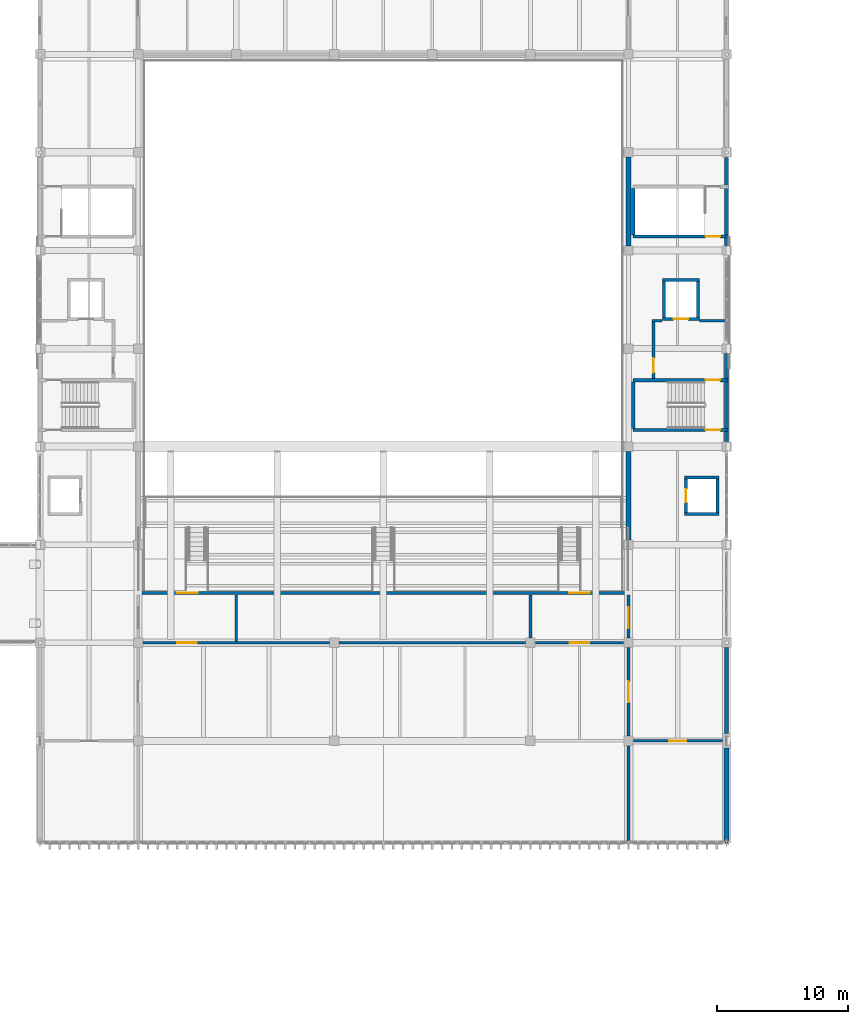
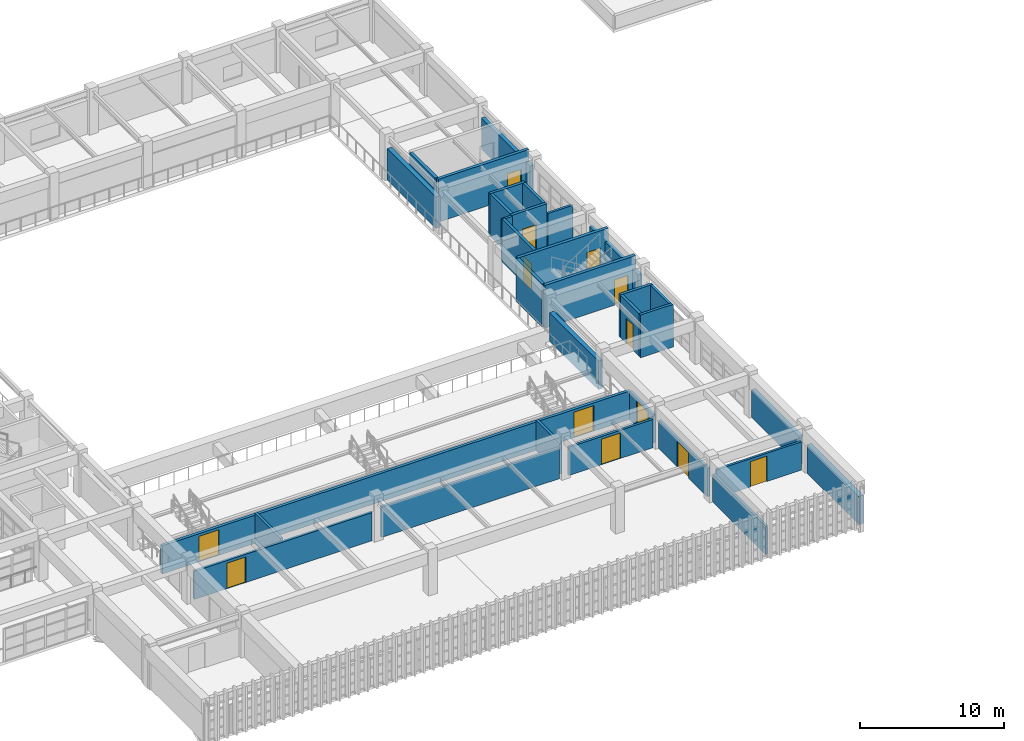
# One storey, part 78 of 101: 32 walls, 13 doors, 13 openings.
"""IFC4 building model written with IfcOpenShell, lengths in metres."""

from ifc_helpers import new_model, si_unit, direction, frame, frame_2d, origin, place, context, subcontext, project, spatial, rectangle, extrude, material, layer, layer_set, type_object, element, fill, save


model = new_model("IFC4")

# Units and contexts
model_context = context("Model", 3, precision=1e-05, world=origin(), true_north=direction((0.0, 1.0)))
body_context = subcontext(model_context, "Body", "Model", "MODEL_VIEW")
ifc_project = project(units=[si_unit("LENGTHUNIT", "METRE"), si_unit("AREAUNIT", "SQUARE_METRE"), si_unit("VOLUMEUNIT", "CUBIC_METRE"), si_unit("PLANEANGLEUNIT", "RADIAN"), si_unit("MASSUNIT", "GRAM", prefix="KILO")], contexts=[model_context])

# Site, building, storey
site_placement = place(None, origin())
site = spatial("IfcSite", under=ifc_project, at=site_placement, CompositionType="ELEMENT")
building_placement = place(site_placement, origin())
building = spatial("IfcBuilding", under=site, at=building_placement, Name="Qasida Concert Hall", CompositionType="ELEMENT")
storey_placement = place(building_placement, frame((0.0, 0.0, 13.199951171875)))
storey = spatial("IfcBuildingStorey", under=building, at=storey_placement, Name="L03", CompositionType="ELEMENT", Elevation=13.199951171875)

# Walls
ifc_material_1 = material(Name="Concrete C40/50", Category="concrete")
ifc_layer_1 = layer(ifc_material_1, 0.219970703125, Name="Concrete C40/50")
ifc_layer_set_1 = layer_set([ifc_layer_1], Name="Concrete C40/50")
wall_type_1 = type_object("IfcWallType", Name="WL-CW-220", PredefinedType="SOLIDWALL", material=ifc_layer_set_1)
for number, where, z_axis, x_axis, name in (
    (1, (101.7900390625, 39.85009765625, 0.0), (0.0, 0.0, 1.0), (1.0, 0.0, 0.0), "L03 LF-02 lift shaft wall S"),
    (2, (101.7900390625, 42.64990234375, 0.0), (0.0, 0.0, 1.0), (1.0, 0.0, 0.0), "L03 LF-02 lift shaft wall N"),
):
    element("IfcWall", number, at=place(storey_placement, frame(where, z_axis=z_axis, x_axis=x_axis)), inside=storey, type_object=wall_type_1, Name=name, PredefinedType="SOLIDWALL", context=body_context, shape_type="SweptSolid", body=[
        extrude(rectangle(XDim=2.619873046875, YDim=0.219970703125, at=frame_2d((1.31005859375, 0.0))), origin(), (0.0, 0.0, 1.0), 3.6201171875),
    ])

# Wall, opening, door
wall_1_placement = place(storey_placement, frame((101.89990234375, 39.9599609375, 0.0), z_axis=(0.0, 0.0, 1.0), x_axis=(0.0, 1.0, 0.0)))
wall_1 = element("IfcWall", 3, at=wall_1_placement, inside=storey, type_object=wall_type_1, Name="L03 LF-02 lift shaft wall W", PredefinedType="SOLIDWALL", context=body_context, shape_type="SweptSolid", body=[
    extrude(rectangle(XDim=2.580078125, YDim=0.219970703125, at=frame_2d((1.2900390625, 0.0))), origin(), (0.0, 0.0, 1.0), 3.6201171875),
])
opening_1_placement = place(wall_1_placement, frame((0.7900390625, 0.0, 0.0)))
opening_1 = element("IfcOpeningElement", 4, at=opening_1_placement, cuts=wall_1, Name="Opening LD-100", PredefinedType="OPENING", context=body_context, shape_type="SweptSolid", body=[
    extrude(rectangle(XDim=1.0, YDim=2.14990234375, at=frame_2d((0.5, 1.074951171875))), frame((0.0, 0.119873046875, 0.0), z_axis=(0.0, -1.0, 0.0), x_axis=(1.0, 0.0, 0.0)), (0.0, 0.0, 1.0), 0.239990234375),
])
ifc_material_2 = material(Name="Brushed bronze passenger lift landing door", Category="steel")
door_type_1 = type_object("IfcDoorType", Name="LD-100", OperationType="SLIDING_TO_LEFT", PredefinedType="DOOR", material=ifc_material_2)
door_1_placement = place(opening_1_placement, origin())
door_1 = element("IfcDoor", 5, at=door_1_placement, inside=storey, type_object=door_type_1, Name="Lift landing door LF-02 L03", OperationType="SLIDING_TO_LEFT", OverallHeight=2.14990234375, OverallWidth=1.0, PredefinedType="DOOR", context=body_context, shape_type="SweptSolid", body=[
    extrude(rectangle(XDim=1.0, YDim=2.14990234375, at=frame_2d((0.5, 1.074951171875))), frame((0.0, 0.02490234375, 0.0), z_axis=(0.0, -1.0, 0.0), x_axis=(1.0, 0.0, 0.0)), (0.0, 0.0, 1.0), 0.050048828125),
])
fill(opening_1, door_1)

# Wall
wall_2_placement = place(storey_placement, frame((104.300048828125, 39.9599609375, 0.0), z_axis=(0.0, 0.0, 1.0), x_axis=(0.0, 1.0, 0.0)))
element("IfcWall", 6, at=wall_2_placement, inside=storey, type_object=wall_type_1, Name="L03 LF-02 lift shaft wall E", PredefinedType="SOLIDWALL", context=body_context, shape_type="SweptSolid", body=[
    extrude(rectangle(XDim=2.580078125, YDim=0.219970703125, at=frame_2d((1.2900390625, 0.0))), origin(), (0.0, 0.0, 1.0), 3.6201171875),
])

# Wall, opening, door
wall_3_placement = place(storey_placement, frame((100.090087890625, 54.75, 0.0), z_axis=(0.0, 0.0, 1.0), x_axis=(1.0, 0.0, 0.0)))
wall_3 = element("IfcWall", 7, at=wall_3_placement, inside=storey, type_object=wall_type_1, Name="L03 LF-04 lift shaft wall S", PredefinedType="SOLIDWALL", context=body_context, shape_type="SweptSolid", body=[
    extrude(rectangle(XDim=2.81982421875, YDim=0.219970703125, at=frame_2d((1.409912109375, 0.0))), origin(), (0.0, 0.0, 1.0), 3.6201171875),
])
opening_2_placement = place(wall_3_placement, frame((0.860107421875, 0.0, 0.0)))
opening_2 = element("IfcOpeningElement", 8, at=opening_2_placement, cuts=wall_3, Name="Opening LD-110", PredefinedType="OPENING", context=body_context, shape_type="SweptSolid", body=[
    extrude(rectangle(XDim=1.10009765625, YDim=2.14990234375, at=frame_2d((0.550048828125, 1.074951171875))), frame((0.0, 0.119873046875, 0.0), z_axis=(0.0, -1.0, 0.0), x_axis=(1.0, 0.0, 0.0)), (0.0, 0.0, 1.0), 0.239990234375),
])
ifc_material_3 = material(Name="Firefighting lift sliding landing door", Category="steel")
door_type_2 = type_object("IfcDoorType", Name="LD-110", OperationType="SLIDING_TO_LEFT", PredefinedType="DOOR", material=ifc_material_3)
door_2_placement = place(opening_2_placement, origin())
door_2 = element("IfcDoor", 9, at=door_2_placement, inside=storey, type_object=door_type_2, Name="Lift landing door LF-04 L03", OperationType="SLIDING_TO_LEFT", OverallHeight=2.14990234375, OverallWidth=1.10009765625, PredefinedType="DOOR", context=body_context, shape_type="SweptSolid", body=[
    extrude(rectangle(XDim=1.10009765625, YDim=2.14990234375, at=frame_2d((0.550048828125, 1.074951171875))), frame((0.0, 0.02490234375, 0.0), z_axis=(0.0, -1.0, 0.0), x_axis=(1.0, 0.0, 0.0)), (0.0, 0.0, 1.0), 0.050048828125),
])
fill(opening_2, door_2)

# Walls
wall_4_placement = place(storey_placement, frame((100.090087890625, 57.75, 0.0), z_axis=(0.0, 0.0, 1.0), x_axis=(1.0, 0.0, 0.0)))
element("IfcWall", 10, at=wall_4_placement, inside=storey, type_object=wall_type_1, Name="L03 LF-04 lift shaft wall N", PredefinedType="SOLIDWALL", context=body_context, shape_type="SweptSolid", body=[
    extrude(rectangle(XDim=2.81982421875, YDim=0.219970703125, at=frame_2d((1.409912109375, 0.0))), origin(), (0.0, 0.0, 1.0), 3.6201171875),
])
for number, where, z_axis, x_axis, name in (
    (11, (100.199951171875, 54.860107421875, 0.0), (0.0, 0.0, 1.0), (0.0, 1.0, 0.0), "L03 LF-04 lift shaft wall W"),
    (12, (102.800048828125, 54.860107421875, 0.0), (0.0, 0.0, 1.0), (0.0, 1.0, 0.0), "L03 LF-04 lift shaft wall E"),
):
    element("IfcWall", number, at=place(storey_placement, frame(where, z_axis=z_axis, x_axis=x_axis)), inside=storey, type_object=wall_type_1, Name=name, PredefinedType="SOLIDWALL", context=body_context, shape_type="SweptSolid", body=[
        extrude(rectangle(XDim=2.77978515625, YDim=0.219970703125, at=frame_2d((1.389892578125, 0.0))), origin(), (0.0, 0.0, 1.0), 3.6201171875),
    ])

# Wall, opening, door
wall_5_placement = place(storey_placement, frame((99.39990234375, 50.219970703125, 0.0), z_axis=(0.0, 0.0, 1.0), x_axis=(0.0, 1.0, 0.0)))
wall_5 = element("IfcWall", 13, at=wall_5_placement, inside=storey, type_object=wall_type_1, Name="L03 LF-04 firefighting lobby wall", PredefinedType="SOLIDWALL", context=body_context, shape_type="SweptSolid", body=[
    extrude(rectangle(XDim=4.409912109375, YDim=0.219970703125, at=frame_2d((2.205078125, 0.0))), origin(), (0.0, 0.0, 1.0), 3.6201171875),
])
opening_3_placement = place(wall_5_placement, frame((0.449951171875, 0.0, 0.0)))
opening_3 = element("IfcOpeningElement", 14, at=opening_3_placement, cuts=wall_5, Name="Opening FD-110", PredefinedType="OPENING", context=body_context, shape_type="SweptSolid", body=[
    extrude(rectangle(XDim=1.10009765625, YDim=2.14990234375, at=frame_2d((0.550048828125, 1.074951171875))), frame((0.0, 0.119873046875, 0.0), z_axis=(0.0, -1.0, 0.0), x_axis=(1.0, 0.0, 0.0)), (0.0, 0.0, 1.0), 0.239990234375),
])
ifc_material_4 = material(Name="Steel fire-rated stair/lobby door set", Category="steel")
door_type_3 = type_object("IfcDoorType", Name="FD-110", OperationType="NOTDEFINED", PredefinedType="DOOR", material=ifc_material_4)
door_3_placement = place(opening_3_placement, origin())
door_3 = element("IfcDoor", 15, at=door_3_placement, inside=storey, type_object=door_type_3, Name="L03 LF-04 firefighting lobby fire door", OperationType="SINGLE_SWING_RIGHT", OverallHeight=2.14990234375, OverallWidth=1.10009765625, PredefinedType="DOOR", context=body_context, shape_type="SweptSolid", body=[
    extrude(rectangle(XDim=1.10009765625, YDim=2.14990234375, at=frame_2d((0.550048828125, 1.074951171875))), frame((0.0, 0.02490234375, 0.0), z_axis=(0.0, -1.0, 0.0), x_axis=(1.0, 0.0, 0.0)), (0.0, 0.0, 1.0), 0.050048828125),
])
fill(opening_3, door_3)

ifc_layer_2 = layer(ifc_material_1, 0.25, Name="Concrete C40/50")
ifc_layer_set_2 = layer_set([ifc_layer_2], Name="Concrete C40/50")
wall_type_2 = type_object("IfcWallType", Name="WL-CW-250", PredefinedType="SOLIDWALL", material=ifc_layer_set_2)
wall_6_placement = place(storey_placement, frame((97.860107421875, 46.27490234375, 0.0), z_axis=(0.0, 0.0, 1.0), x_axis=(1.0, 0.0, 0.0)))
wall_6 = element("IfcWall", 16, at=wall_6_placement, inside=storey, type_object=wall_type_2, Name="L03 ST-02 stairwell wall S", PredefinedType="SOLIDWALL", context=body_context, shape_type="SweptSolid", body=[
    extrude(rectangle(XDim=7.260009765625, YDim=0.25, at=frame_2d((3.6298828125, 0.0))), origin(), (0.0, 0.0, 1.0), 3.6201171875),
])
opening_4_placement = place(wall_6_placement, frame((5.5400390625, 0.0, 0.0)))
opening_4 = element("IfcOpeningElement", 17, at=opening_4_placement, cuts=wall_6, Name="Opening FD-110", PredefinedType="OPENING", context=body_context, shape_type="SweptSolid", body=[
    extrude(rectangle(XDim=1.10009765625, YDim=2.14990234375, at=frame_2d((0.550048828125, 1.074951171875))), frame((0.0, 0.135009765625, 0.0), z_axis=(0.0, -1.0, 0.0), x_axis=(1.0, 0.0, 0.0)), (0.0, 0.0, 1.0), 0.27001953125),
])
door_4_placement = place(opening_4_placement, origin())
door_4 = element("IfcDoor", 18, at=door_4_placement, inside=storey, type_object=door_type_3, Name="L03 ST-02 rated stair door", OperationType="SINGLE_SWING_LEFT", OverallHeight=2.14990234375, OverallWidth=1.10009765625, PredefinedType="DOOR", context=body_context, shape_type="SweptSolid", body=[
    extrude(rectangle(XDim=1.10009765625, YDim=2.14990234375, at=frame_2d((0.550048828125, 1.074951171875))), frame((0.0, 0.02490234375, 0.0), z_axis=(0.0, -1.0, 0.0), x_axis=(1.0, 0.0, 0.0)), (0.0, 0.0, 1.0), 0.050048828125),
])
fill(opening_4, door_4)

wall_7_placement = place(storey_placement, frame((97.860107421875, 50.0849609375, 0.0), z_axis=(0.0, 0.0, 1.0), x_axis=(1.0, 0.0, 0.0)))
wall_7 = element("IfcWall", 19, at=wall_7_placement, inside=storey, type_object=wall_type_2, Name="L03 ST-02 stairwell wall N", PredefinedType="SOLIDWALL", context=body_context, shape_type="SweptSolid", body=[
    extrude(rectangle(XDim=7.260009765625, YDim=0.25, at=frame_2d((3.6298828125, 0.0))), origin(), (0.0, 0.0, 1.0), 3.6201171875),
])
opening_5_placement = place(wall_7_placement, frame((5.5400390625, 0.0, 0.0)))
opening_5 = element("IfcOpeningElement", 20, at=opening_5_placement, cuts=wall_7, Name="Opening FD-110", PredefinedType="OPENING", context=body_context, shape_type="SweptSolid", body=[
    extrude(rectangle(XDim=1.10009765625, YDim=2.14990234375, at=frame_2d((0.550048828125, 1.074951171875))), frame((0.0, 0.135009765625, 0.0), z_axis=(0.0, -1.0, 0.0), x_axis=(1.0, 0.0, 0.0)), (0.0, 0.0, 1.0), 0.27001953125),
])
door_5_placement = place(opening_5_placement, frame((1.10009765625, 0.0, 0.0), z_axis=(0.0, 0.0, 1.0), x_axis=(-1.0, 0.0, 0.0)))
door_5 = element("IfcDoor", 21, at=door_5_placement, inside=storey, type_object=door_type_3, Name="L03 ST-02 rated stair door", OperationType="SINGLE_SWING_RIGHT", OverallHeight=2.14990234375, OverallWidth=1.10009765625, PredefinedType="DOOR", context=body_context, shape_type="SweptSolid", body=[
    extrude(rectangle(XDim=1.10009765625, YDim=2.14990234375, at=frame_2d((0.550048828125, 1.074951171875))), frame((0.0, 0.02490234375, 0.0), z_axis=(0.0, -1.0, 0.0), x_axis=(1.0, 0.0, 0.0)), (0.0, 0.0, 1.0), 0.050048828125),
])
fill(opening_5, door_5)

# Wall
wall_8_placement = place(storey_placement, frame((97.85498046875, 46.39990234375, 0.0), z_axis=(0.0, 0.0, 1.0), x_axis=(0.0, 1.0, 0.0)))
element("IfcWall", 22, at=wall_8_placement, inside=storey, type_object=wall_type_2, Name="L03 ST-02 stairwell wall W", PredefinedType="SOLIDWALL", context=body_context, shape_type="SweptSolid", body=[
    extrude(rectangle(XDim=3.56005859375, YDim=0.25, at=frame_2d((1.780029296875, 0.0))), origin(), (0.0, 0.0, 1.0), 3.6201171875),
])

# Wall, opening, door
wall_9_placement = place(storey_placement, frame((97.860107421875, 61.074951171875, 0.0), z_axis=(0.0, 0.0, 1.0), x_axis=(1.0, 0.0, 0.0)))
wall_9 = element("IfcWall", 23, at=wall_9_placement, inside=storey, type_object=wall_type_2, Name="L03 ST-12 stairwell wall S", PredefinedType="SOLIDWALL", context=body_context, shape_type="SweptSolid", body=[
    extrude(rectangle(XDim=7.260009765625, YDim=0.25, at=frame_2d((3.6298828125, 0.0))), origin(), (0.0, 0.0, 1.0), 3.6201171875),
])
opening_6_placement = place(wall_9_placement, frame((5.5400390625, 0.0, 0.0)))
opening_6 = element("IfcOpeningElement", 24, at=opening_6_placement, cuts=wall_9, Name="Opening FD-110", PredefinedType="OPENING", context=body_context, shape_type="SweptSolid", body=[
    extrude(rectangle(XDim=1.10009765625, YDim=2.14990234375, at=frame_2d((0.550048828125, 1.074951171875))), frame((0.0, 0.135009765625, 0.0), z_axis=(0.0, -1.0, 0.0), x_axis=(1.0, 0.0, 0.0)), (0.0, 0.0, 1.0), 0.27001953125),
])
door_6_placement = place(opening_6_placement, origin())
door_6 = element("IfcDoor", 25, at=door_6_placement, inside=storey, type_object=door_type_3, Name="L03 ST-12 rated stair door", OperationType="SINGLE_SWING_LEFT", OverallHeight=2.14990234375, OverallWidth=1.10009765625, PredefinedType="DOOR", context=body_context, shape_type="SweptSolid", body=[
    extrude(rectangle(XDim=1.10009765625, YDim=2.14990234375, at=frame_2d((0.550048828125, 1.074951171875))), frame((0.0, 0.02490234375, 0.0), z_axis=(0.0, -1.0, 0.0), x_axis=(1.0, 0.0, 0.0)), (0.0, 0.0, 1.0), 0.050048828125),
])
fill(opening_6, door_6)

# Walls
wall_10_placement = place(storey_placement, frame((97.85498046875, 61.199951171875, 0.0), z_axis=(0.0, 0.0, 1.0), x_axis=(0.0, 1.0, 0.0)))
element("IfcWall", 26, at=wall_10_placement, inside=storey, type_object=wall_type_2, Name="L03 ST-12 stairwell wall W", PredefinedType="SOLIDWALL", context=body_context, shape_type="SweptSolid", body=[
    extrude(rectangle(XDim=3.56005859375, YDim=0.25, at=frame_2d((1.780029296875, 0.0))), origin(), (0.0, 0.0, 1.0), 3.6201171875),
])
ifc_material_5 = material(Name="Precast concrete C40/50", Category="concrete")
ifc_layer_3 = layer(ifc_material_5, 0.300048828125, Name="Precast concrete C40/50")
ifc_layer_set_3 = layer_set([ifc_layer_3], Name="Precast concrete C40/50")
wall_type_3 = type_object("IfcWallType", Name="WL-EW-300", PredefinedType="SOLIDWALL", material=ifc_layer_set_3)
wall_11_placement = place(storey_placement, frame((105.0, 23.06494140625, 0.0), z_axis=(0.0, 0.0, 1.0), x_axis=(0.0, 1.0, 0.0)))
element("IfcWall", 27, at=wall_11_placement, inside=storey, type_object=wall_type_3, Name="L03 exterior wall EW-300 0063", PredefinedType="SOLIDWALL", context=body_context, shape_type="SweptSolid", body=[
    extrude(rectangle(XDim=6.56005859375, YDim=0.300048828125, at=frame_2d((3.280029296875, 0.0))), origin(), (0.0, 0.0, 1.0), 2.39013671875),
])
wall_12_placement = place(storey_placement, frame((105.0, 45.375, 0.0), z_axis=(0.0, 0.0, 1.0), x_axis=(0.0, 1.0, 0.0)))
element("IfcWall", 28, at=wall_12_placement, inside=storey, type_object=wall_type_3, Name="L03 exterior wall EW-300 0065", PredefinedType="SOLIDWALL", context=body_context, shape_type="SweptSolid", body=[
    extrude(rectangle(XDim=6.75, YDim=0.300048828125, at=frame_2d((3.375, 0.0))), origin(), (0.0, 0.0, 1.0), 2.5400390625),
])
wall_13_placement = place(storey_placement, frame((105.0, 60.375, 0.0), z_axis=(0.0, 0.0, 1.0), x_axis=(0.0, 1.0, 0.0)))
element("IfcWall", 29, at=wall_13_placement, inside=storey, type_object=wall_type_3, Name="L03 exterior wall EW-300 0067", PredefinedType="SOLIDWALL", context=body_context, shape_type="SweptSolid", body=[
    extrude(rectangle(XDim=6.75, YDim=0.300048828125, at=frame_2d((3.375, 0.0))), origin(), (0.0, 0.0, 1.0), 2.64013671875),
])
ifc_layer_4 = layer(ifc_material_5, 0.360107421875, Name="Precast concrete C40/50")
ifc_layer_set_4 = layer_set([ifc_layer_4], Name="Precast concrete C40/50")
wall_type_4 = type_object("IfcWallType", Name="WL-EW-360", PredefinedType="SOLIDWALL", material=ifc_layer_set_4)
wall_14_placement = place(storey_placement, frame((105.0, 14.699951171875, 0.0), z_axis=(0.0, 0.0, 1.0), x_axis=(0.0, 1.0, 0.0)))
element("IfcWall", 30, at=wall_14_placement, inside=storey, type_object=wall_type_4, Name="L03 exterior wall EW-360 0011", PredefinedType="SOLIDWALL", context=body_context, shape_type="SweptSolid", body=[
    extrude(rectangle(XDim=7.235107421875, YDim=0.360107421875, at=frame_2d((3.61767578125, 0.0))), origin(), (0.0, 0.0, 1.0), 2.39013671875),
])

# Wall, opening, door
ifc_material_6 = material(Name="Acoustic metal-stud gypsum partition", Category="gypsum")
ifc_layer_5 = layer(ifc_material_6, 0.179931640625, Name="Acoustic metal-stud gypsum partition")
ifc_layer_set_5 = layer_set([ifc_layer_5], Name="Acoustic metal-stud gypsum partition")
wall_type_5 = type_object("IfcWallType", Name="WL-PW-180", PredefinedType="PARTITIONING", material=ifc_layer_set_5)
wall_15_placement = place(storey_placement, frame((97.8740234375, 22.5, 0.0), z_axis=(0.0, 0.0, 1.0), x_axis=(1.0, 0.0, 0.0)))
wall_15 = element("IfcWall", 31, at=wall_15_placement, inside=storey, type_object=wall_type_5, Name="L03 partition PW-180 0481", PredefinedType="PARTITIONING", context=body_context, shape_type="SweptSolid", body=[
    extrude(rectangle(XDim=6.81201171875, YDim=0.179931640625, at=frame_2d((3.406005859375, 0.0))), origin(), (0.0, 0.0, 1.0), 2.39013671875),
])
opening_7_placement = place(wall_15_placement, frame((2.72607421875, 0.0, 0.0)))
opening_7 = element("IfcOpeningElement", 32, at=opening_7_placement, cuts=wall_15, Name="Opening ID-130", PredefinedType="OPENING", context=body_context, shape_type="SweptSolid", body=[
    extrude(rectangle(XDim=1.300048828125, YDim=2.14990234375, at=frame_2d((0.64990234375, 1.074951171875))), frame((0.0, 0.099853515625, 0.0), z_axis=(0.0, -1.0, 0.0), x_axis=(1.0, 0.0, 0.0)), (0.0, 0.0, 1.0), 0.199951171875),
])
ifc_material_7 = material(Name="Bronze-framed glazed salon door", Category="aluminium")
door_type_4 = type_object("IfcDoorType", Name="ID-130", OperationType="NOTDEFINED", PredefinedType="DOOR", material=ifc_material_7)
door_7_placement = place(opening_7_placement, origin())
door_7 = element("IfcDoor", 33, at=door_7_placement, inside=storey, type_object=door_type_4, Name="L03 L03 east south salon door", OperationType="SINGLE_SWING_LEFT", OverallHeight=2.14990234375, OverallWidth=1.300048828125, PredefinedType="DOOR", context=body_context, shape_type="SweptSolid", body=[
    extrude(rectangle(XDim=1.300048828125, YDim=2.14990234375, at=frame_2d((0.64990234375, 1.074951171875))), frame((0.0, 0.02490234375, 0.0), z_axis=(0.0, -1.0, 0.0), x_axis=(1.0, 0.0, 0.0)), (0.0, 0.0, 1.0), 0.050048828125),
])
fill(opening_7, door_7)

# Walls
ifc_material_8 = material(Name="Acoustic gypsum block and mineral wool", Category="gypsum")
ifc_layer_6 = layer(ifc_material_8, 0.199951171875, Name="Acoustic gypsum block and mineral wool")
ifc_layer_set_6 = layer_set([ifc_layer_6], Name="Acoustic gypsum block and mineral wool")
wall_type_6 = type_object("IfcWallType", Name="WL-PW-200", PredefinedType="PARTITIONING", material=ifc_layer_set_6)
wall_16_placement = place(storey_placement, frame((99.2900390625, 54.6298828125, 0.0), z_axis=(0.0, 0.0, 1.0), x_axis=(1.0, 0.0, 0.0)))
element("IfcWall", 34, at=wall_16_placement, inside=storey, type_object=wall_type_6, Name="L03 LF-04 firefighting lobby return wall", PredefinedType="PARTITIONING", context=body_context, shape_type="SweptSolid", body=[
    extrude(rectangle(XDim=0.784912109375, YDim=0.199951171875, at=frame_2d((0.392578125, 0.0))), origin(), (0.0, 0.0, 1.0), 3.60009765625),
])
wall_17_placement = place(storey_placement, frame((102.925048828125, 54.6298828125, 0.0), z_axis=(0.0, 0.0, 1.0), x_axis=(1.0, 0.0, 0.0)))
element("IfcWall", 35, at=wall_17_placement, inside=storey, type_object=wall_type_6, Name="L03 LF-04 firefighting lobby return wall", PredefinedType="PARTITIONING", context=body_context, shape_type="SweptSolid", body=[
    extrude(rectangle(XDim=2.014892578125, YDim=0.199951171875, at=frame_2d((1.00732421875, 0.0))), origin(), (0.0, 0.0, 1.0), 2.85009765625),
])

# Wall, opening, door
wall_18_placement = place(storey_placement, frame((60.3740234375, 30.0, 0.0), z_axis=(0.0, 0.0, 1.0), x_axis=(1.0, 0.0, 0.0)))
wall_18 = element("IfcWall", 36, at=wall_18_placement, inside=storey, type_object=wall_type_6, Name="L03 partition PW-200 0482", PredefinedType="PARTITIONING", context=body_context, shape_type="SweptSolid", body=[
    extrude(rectangle(XDim=14.251953125, YDim=0.199951171875, at=frame_2d((7.1259765625, 0.0))), origin(), (0.0, 0.0, 1.0), 2.39013671875),
])
opening_8_placement = place(wall_18_placement, frame((2.6259765625, 0.0, 0.0)))
opening_8 = element("IfcOpeningElement", 37, at=opening_8_placement, cuts=wall_18, Name="Opening ID-150", PredefinedType="OPENING", context=body_context, shape_type="SweptSolid", body=[
    extrude(rectangle(XDim=1.5, YDim=2.159912109375, at=frame_2d((0.75, 1.080078125))), frame((0.0, 0.10986328125, 0.0), z_axis=(0.0, -1.0, 0.0), x_axis=(1.0, 0.0, 0.0)), (0.0, 0.0, 1.0), 0.219970703125),
])
ifc_material_9 = material(Name="Bronze-framed glazed foyer door", Category="aluminium")
door_type_5 = type_object("IfcDoorType", Name="ID-150", OperationType="NOTDEFINED", PredefinedType="DOOR", material=ifc_material_9)
door_8_placement = place(opening_8_placement, origin())
door_8 = element("IfcDoor", 38, at=door_8_placement, inside=storey, type_object=door_type_5, Name="L03 L03 west vomitory foyer door", OperationType="SINGLE_SWING_RIGHT", OverallHeight=2.159912109375, OverallWidth=1.5, PredefinedType="DOOR", context=body_context, shape_type="SweptSolid", body=[
    extrude(rectangle(XDim=1.5, YDim=2.159912109375, at=frame_2d((0.75, 1.080078125))), frame((0.0, 0.02490234375, 0.0), z_axis=(0.0, -1.0, 0.0), x_axis=(1.0, 0.0, 0.0)), (0.0, 0.0, 1.0), 0.050048828125),
])
fill(opening_8, door_8)

# Wall
wall_19_placement = place(storey_placement, frame((75.3740234375, 30.0, 0.0), z_axis=(0.0, 0.0, 1.0), x_axis=(1.0, 0.0, 0.0)))
element("IfcWall", 39, at=wall_19_placement, inside=storey, type_object=wall_type_6, Name="L03 partition PW-200 0483", PredefinedType="PARTITIONING", context=body_context, shape_type="SweptSolid", body=[
    extrude(rectangle(XDim=14.251953125, YDim=0.199951171875, at=frame_2d((7.1259765625, 0.0))), origin(), (0.0, 0.0, 1.0), 2.590087890625),
])

# Wall, opening, door
wall_20_placement = place(storey_placement, frame((90.3740234375, 30.0, 0.0), z_axis=(0.0, 0.0, 1.0), x_axis=(1.0, 0.0, 0.0)))
wall_20 = element("IfcWall", 40, at=wall_20_placement, inside=storey, type_object=wall_type_6, Name="L03 partition PW-200 0484", PredefinedType="PARTITIONING", context=body_context, shape_type="SweptSolid", body=[
    extrude(rectangle(XDim=6.751953125, YDim=0.199951171875, at=frame_2d((3.3759765625, 0.0))), origin(), (0.0, 0.0, 1.0), 2.39013671875),
])
opening_9_placement = place(wall_20_placement, frame((2.6259765625, 0.0, 0.0)))
opening_9 = element("IfcOpeningElement", 41, at=opening_9_placement, cuts=wall_20, Name="Opening ID-150", PredefinedType="OPENING", context=body_context, shape_type="SweptSolid", body=[
    extrude(rectangle(XDim=1.5, YDim=2.159912109375, at=frame_2d((0.75, 1.080078125))), frame((0.0, 0.10986328125, 0.0), z_axis=(0.0, -1.0, 0.0), x_axis=(1.0, 0.0, 0.0)), (0.0, 0.0, 1.0), 0.219970703125),
])
door_9_placement = place(opening_9_placement, origin())
door_9 = element("IfcDoor", 42, at=door_9_placement, inside=storey, type_object=door_type_5, Name="L03 L03 east vomitory foyer door", OperationType="SINGLE_SWING_LEFT", OverallHeight=2.159912109375, OverallWidth=1.5, PredefinedType="DOOR", context=body_context, shape_type="SweptSolid", body=[
    extrude(rectangle(XDim=1.5, YDim=2.159912109375, at=frame_2d((0.75, 1.080078125))), frame((0.0, 0.02490234375, 0.0), z_axis=(0.0, -1.0, 0.0), x_axis=(1.0, 0.0, 0.0)), (0.0, 0.0, 1.0), 0.050048828125),
])
fill(opening_9, door_9)

# Walls
wall_21_placement = place(storey_placement, frame((67.5, 30.114013671875, 0.0), z_axis=(0.0, 0.0, 1.0), x_axis=(0.0, 1.0, 0.0)))
element("IfcWall", 43, at=wall_21_placement, inside=storey, type_object=wall_type_6, Name="L03 partition PW-200 0486", PredefinedType="PARTITIONING", context=body_context, shape_type="SweptSolid", body=[
    extrude(rectangle(XDim=3.552001953125, YDim=0.199951171875, at=frame_2d((1.77587890625, 0.0))), origin(), (0.0, 0.0, 1.0), 2.590087890625),
])
wall_22_placement = place(storey_placement, frame((90.0, 30.3740234375, 0.0), z_axis=(0.0, 0.0, 1.0), x_axis=(0.0, 1.0, 0.0)))
element("IfcWall", 44, at=wall_22_placement, inside=storey, type_object=wall_type_6, Name="L03 partition PW-200 0487", PredefinedType="PARTITIONING", context=body_context, shape_type="SweptSolid", body=[
    extrude(rectangle(XDim=3.2919921875, YDim=0.199951171875, at=frame_2d((1.64599609375, 0.0))), origin(), (0.0, 0.0, 1.0), 2.590087890625),
])
wall_23_placement = place(storey_placement, frame((97.5, 14.820068359375, 0.0), z_axis=(0.0, 0.0, 1.0), x_axis=(0.0, 1.0, 0.0)))
element("IfcWall", 45, at=wall_23_placement, inside=storey, type_object=wall_type_6, Name="L03 partition PW-200 0491", PredefinedType="PARTITIONING", context=body_context, shape_type="SweptSolid", body=[
    extrude(rectangle(XDim=7.305908203125, YDim=0.199951171875, at=frame_2d((3.65283203125, 0.0))), origin(), (0.0, 0.0, 1.0), 2.39013671875),
])

# Wall, opening, door
wall_24_placement = place(storey_placement, frame((97.5, 22.8740234375, 0.0), z_axis=(0.0, 0.0, 1.0), x_axis=(0.0, 1.0, 0.0)))
wall_24 = element("IfcWall", 46, at=wall_24_placement, inside=storey, type_object=wall_type_6, Name="L03 partition PW-200 0492", PredefinedType="PARTITIONING", context=body_context, shape_type="SweptSolid", body=[
    extrude(rectangle(XDim=6.751953125, YDim=0.199951171875, at=frame_2d((3.3759765625, 0.0))), origin(), (0.0, 0.0, 1.0), 2.39013671875),
])
opening_10_placement = place(wall_24_placement, frame((2.575927734375, 0.0, 0.0)))
opening_10 = element("IfcOpeningElement", 47, at=opening_10_placement, cuts=wall_24, Name="Opening FD-160", PredefinedType="OPENING", context=body_context, shape_type="SweptSolid", body=[
    extrude(rectangle(XDim=1.60009765625, YDim=2.14990234375, at=frame_2d((0.800048828125, 1.074951171875))), frame((0.0, 0.10986328125, 0.0), z_axis=(0.0, -1.0, 0.0), x_axis=(1.0, 0.0, 0.0)), (0.0, 0.0, 1.0), 0.219970703125),
])
ifc_material_10 = material(Name="Double-leaf acoustic fire door", Category="steel")
door_type_6 = type_object("IfcDoorType", Name="FD-160", OperationType="NOTDEFINED", PredefinedType="DOOR", material=ifc_material_10)
door_10_placement = place(opening_10_placement, origin())
door_10 = element("IfcDoor", 48, at=door_10_placement, inside=storey, type_object=door_type_6, Name="L03 L03 balcony foyer east door", OperationType="SINGLE_SWING_RIGHT", OverallHeight=2.14990234375, OverallWidth=1.60009765625, PredefinedType="DOOR", context=body_context, shape_type="SweptSolid", body=[
    extrude(rectangle(XDim=1.60009765625, YDim=2.14990234375, at=frame_2d((0.800048828125, 1.074951171875))), frame((0.0, 0.02490234375, 0.0), z_axis=(0.0, -1.0, 0.0), x_axis=(1.0, 0.0, 0.0)), (0.0, 0.0, 1.0), 0.050048828125),
])
fill(opening_10, door_10)

wall_25_placement = place(storey_placement, frame((97.5, 30.3740234375, 0.0), z_axis=(0.0, 0.0, 1.0), x_axis=(0.0, 1.0, 0.0)))
wall_25 = element("IfcWall", 49, at=wall_25_placement, inside=storey, type_object=wall_type_6, Name="L03 partition PW-200 0493", PredefinedType="PARTITIONING", context=body_context, shape_type="SweptSolid", body=[
    extrude(rectangle(XDim=3.2919921875, YDim=0.199951171875, at=frame_2d((1.64599609375, 0.0))), origin(), (0.0, 0.0, 1.0), 2.39013671875),
])
opening_11_placement = place(wall_25_placement, frame((0.72607421875, 0.0, 0.0)))
opening_11 = element("IfcOpeningElement", 50, at=opening_11_placement, cuts=wall_25, Name="Opening AD-160", PredefinedType="OPENING", context=body_context, shape_type="SweptSolid", body=[
    extrude(rectangle(XDim=1.60009765625, YDim=2.159912109375, at=frame_2d((0.800048828125, 1.080078125))), frame((0.0, 0.10986328125, 0.0), z_axis=(0.0, -1.0, 0.0), x_axis=(1.0, 0.0, 0.0)), (0.0, 0.0, 1.0), 0.219970703125),
])
ifc_material_11 = material(Name="Double-seal Rw 50 dB rehearsal hall door", Category="wood")
door_type_7 = type_object("IfcDoorType", Name="AD-160", OperationType="NOTDEFINED", PredefinedType="DOOR", material=ifc_material_11)
door_11_placement = place(opening_11_placement, origin())
door_11 = element("IfcDoor", 51, at=door_11_placement, inside=storey, type_object=door_type_7, Name="L03 L03 east balcony vomitory door", OperationType="SINGLE_SWING_LEFT", OverallHeight=2.159912109375, OverallWidth=1.60009765625, PredefinedType="DOOR", context=body_context, shape_type="SweptSolid", body=[
    extrude(rectangle(XDim=1.60009765625, YDim=2.159912109375, at=frame_2d((0.800048828125, 1.080078125))), frame((0.0, 0.02490234375, 0.0), z_axis=(0.0, -1.0, 0.0), x_axis=(1.0, 0.0, 0.0)), (0.0, 0.0, 1.0), 0.050048828125),
])
fill(opening_11, door_11)

# Wall, openings, doors
ifc_material_12 = material(Name="Double-stud acoustic gypsum and mineral wool", Category="gypsum")
ifc_layer_7 = layer(ifc_material_12, 0.239990234375, Name="Double-stud acoustic gypsum and mineral wool")
ifc_layer_set_7 = layer_set([ifc_layer_7], Name="Double-stud acoustic gypsum and mineral wool")
wall_type_7 = type_object("IfcWallType", Name="WL-PW-240", PredefinedType="PARTITIONING", material=ifc_layer_set_7)
wall_26_placement = place(storey_placement, frame((60.0, 33.800048828125, 0.0), z_axis=(0.0, 0.0, 1.0), x_axis=(1.0, 0.0, 0.0)))
wall_26 = element("IfcWall", 52, at=wall_26_placement, inside=storey, type_object=wall_type_7, Name="L03 partition PW-240 0485", PredefinedType="PARTITIONING", context=body_context, shape_type="SweptSolid", body=[
    extrude(rectangle(XDim=37.5, YDim=0.239990234375, at=frame_2d((18.75, 0.0))), origin(), (0.0, 0.0, 1.0), 2.39013671875),
])
opening_12_placement = place(wall_26_placement, frame((2.949951171875, 0.0, 0.0)))
opening_12 = element("IfcOpeningElement", 53, at=opening_12_placement, cuts=wall_26, Name="Opening AD-160", PredefinedType="OPENING", context=body_context, shape_type="SweptSolid", body=[
    extrude(rectangle(XDim=1.60009765625, YDim=2.159912109375, at=frame_2d((0.800048828125, 1.080078125))), frame((0.0, 0.1298828125, 0.0), z_axis=(0.0, -1.0, 0.0), x_axis=(1.0, 0.0, 0.0)), (0.0, 0.0, 1.0), 0.260009765625),
])
opening_13_placement = place(wall_26_placement, frame((32.949951171875, 0.0, 0.0)))
opening_13 = element("IfcOpeningElement", 54, at=opening_13_placement, cuts=wall_26, Name="Opening AD-160", PredefinedType="OPENING", context=body_context, shape_type="SweptSolid", body=[
    extrude(rectangle(XDim=1.60009765625, YDim=2.159912109375, at=frame_2d((0.800048828125, 1.080078125))), frame((0.0, 0.1298828125, 0.0), z_axis=(0.0, -1.0, 0.0), x_axis=(1.0, 0.0, 0.0)), (0.0, 0.0, 1.0), 0.260009765625),
])
door_12_placement = place(opening_12_placement, origin())
door_12 = element("IfcDoor", 55, at=door_12_placement, inside=storey, type_object=door_type_7, Name="L03 L03 west vomitory seating door", OperationType="SINGLE_SWING_RIGHT", OverallHeight=2.159912109375, OverallWidth=1.60009765625, PredefinedType="DOOR", context=body_context, shape_type="SweptSolid", body=[
    extrude(rectangle(XDim=1.60009765625, YDim=2.159912109375, at=frame_2d((0.800048828125, 1.080078125))), frame((0.0, 0.02490234375, 0.0), z_axis=(0.0, -1.0, 0.0), x_axis=(1.0, 0.0, 0.0)), (0.0, 0.0, 1.0), 0.050048828125),
])
fill(opening_12, door_12)
door_13_placement = place(opening_13_placement, origin())
door_13 = element("IfcDoor", 56, at=door_13_placement, inside=storey, type_object=door_type_7, Name="L03 L03 east vomitory seating door", OperationType="SINGLE_SWING_LEFT", OverallHeight=2.159912109375, OverallWidth=1.60009765625, PredefinedType="DOOR", context=body_context, shape_type="SweptSolid", body=[
    extrude(rectangle(XDim=1.60009765625, YDim=2.159912109375, at=frame_2d((0.800048828125, 1.080078125))), frame((0.0, 0.02490234375, 0.0), z_axis=(0.0, -1.0, 0.0), x_axis=(1.0, 0.0, 0.0)), (0.0, 0.0, 1.0), 0.050048828125),
])
fill(opening_13, door_13)

# Walls
ifc_layer_8 = layer(ifc_material_1, 0.35009765625, Name="Concrete C40/50")
ifc_layer_set_8 = layer_set([ifc_layer_8], Name="Concrete C40/50")
wall_type_8 = type_object("IfcWallType", Name="WL-SW-350", PredefinedType="SHEAR", material=ifc_layer_set_8)
wall_27_placement = place(storey_placement, frame((97.5, 37.860107421875, 0.0), z_axis=(0.0, 0.0, 1.0), x_axis=(0.0, 1.0, 0.0)))
element("IfcWall", 57, at=wall_27_placement, inside=storey, type_object=wall_type_8, Name="L03 acoustic box shear wall 0031", PredefinedType="SHEAR", context=body_context, shape_type="SweptSolid", body=[
    extrude(rectangle(XDim=6.77978515625, YDim=0.35009765625, at=frame_2d((3.389892578125, 0.0))), origin(), (0.0, 0.0, 1.0), 2.420166015625),
])
wall_28_placement = place(storey_placement, frame((97.5, 60.360107421875, 0.0), z_axis=(0.0, 0.0, 1.0), x_axis=(0.0, 1.0, 0.0)))
element("IfcWall", 58, at=wall_28_placement, inside=storey, type_object=wall_type_8, Name="L03 acoustic box shear wall 0032", PredefinedType="SHEAR", context=body_context, shape_type="SweptSolid", body=[
    extrude(rectangle(XDim=6.77978515625, YDim=0.35009765625, at=frame_2d((3.389892578125, 0.0))), origin(), (0.0, 0.0, 1.0), 2.670166015625),
])

save(model, "model.ifc")
